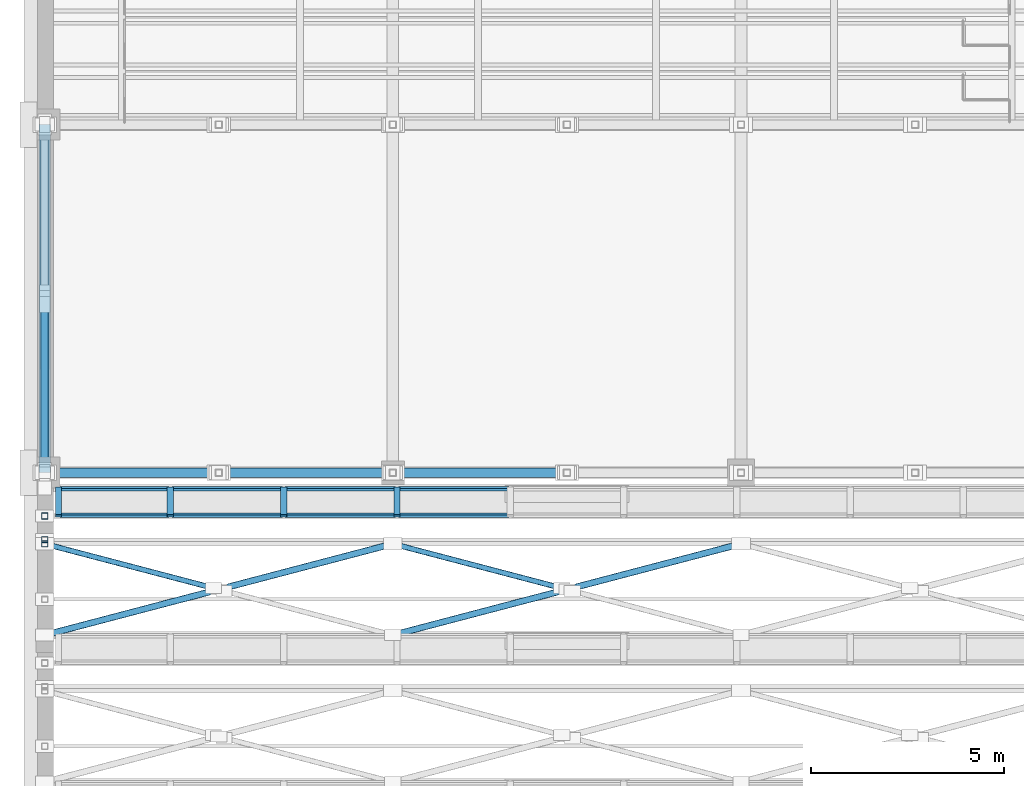
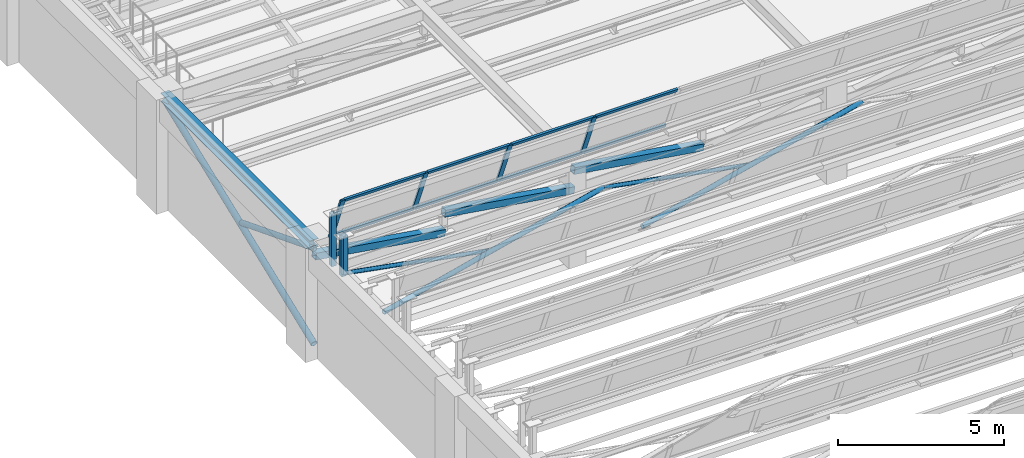
# One storey, part 23 of 108: 24 members, 1 beam, 1 element without a shape of its own.
"""IFC4 building model written with IfcOpenShell, lengths in metres."""

from ifc_helpers import new_model, si_unit, direction, frame, origin, origin_2d, place, context, subcontext, project, spatial, hollow_rectangle, hollow_circle, i_section, extrude, material, material_profile, profile_set, type_object, element, aggregate, save


model = new_model("IFC4")

# Units and contexts
model_context = context("Model", 3, precision=1e-05, world=origin(), true_north=direction((0.0, 1.0)))
body_context = subcontext(model_context, "Body", "Model", "MODEL_VIEW")
ifc_project = project(units=[si_unit("LENGTHUNIT", "METRE"), si_unit("AREAUNIT", "SQUARE_METRE"), si_unit("VOLUMEUNIT", "CUBIC_METRE"), si_unit("PLANEANGLEUNIT", "RADIAN"), si_unit("MASSUNIT", "GRAM", prefix="KILO")], contexts=[model_context])

# Site, building, storey
site_placement = place(None, origin())
site = spatial("IfcSite", under=ifc_project, at=site_placement, CompositionType="ELEMENT")
building_placement = place(site_placement, origin())
building = spatial("IfcBuilding", under=site, at=building_placement, Name="Lykobir Media Centre", CompositionType="ELEMENT")
storey_placement = place(building_placement, frame((0.0, 0.0, 15.0)))
storey = spatial("IfcBuildingStorey", under=building, at=storey_placement, Name="L03", CompositionType="ELEMENT", Elevation=15.0)

# Members
ifc_material_1 = material(Name="Steel S355", Category="steel")
ifc_material_profile_1 = material_profile(ifc_material_1, hollow_circle(Radius=0.06982421875, WallThickness=0.008056640625, at=origin_2d()), Name="CHS 139.7x8.0")
ifc_profile_set_1 = profile_set([ifc_material_profile_1], Name="Steel S355")
member_type_1 = type_object("IfcMemberType", Name="BR-CHS140", PredefinedType="BRACE", material=ifc_profile_set_1)
for number, where, z_axis, x_axis, name in (
    (1, (4.364501953125, 24.01611328125, 3.840087890625), (-0.967253715929, 0.253811443834, 0.0), (-0.253811443834, -0.967253715929, 0.0), "Diagonal brace MEM2-L03-0044-0240-0188-0000-0252-0271"),
    (2, (13.364501953125, 24.01611328125, 3.840087890625), (-0.967253715929, 0.253811443834, 0.0), (-0.253811443834, -0.967253715929, 0.0), "Diagonal brace MEM2-L03-0134-0240-0188-0090-0252-0274"),
):
    element("IfcMember", number, at=place(storey_placement, frame(where, z_axis=z_axis, x_axis=x_axis)), inside=storey, type_object=member_type_1, Name=name, PredefinedType="BRACE", context=body_context, shape_type="SweptSolid", body=[
        extrude(hollow_circle(Radius=0.06982421875, WallThickness=0.008056640625, at=origin_2d()), origin(), (0.0, 0.0, 1.0), 4.51220703125),
    ])
ifc_material_profile_2 = material_profile(ifc_material_1, hollow_circle(Radius=0.084228515625, WallThickness=0.010009765625, at=origin_2d()), Name="CHS 168.3x10.0")
ifc_profile_set_2 = profile_set([ifc_material_profile_2], Name="Steel S355")
member_type_2 = type_object("IfcMemberType", Name="BR-CHS168", PredefinedType="BRACE", material=ifc_profile_set_2)
for number, where, z_axis, x_axis, name in (
    (3, (0.0, 22.800048828125, 3.840087890625), (0.967261887678, 0.253780299957, 0.0), (-0.253780299957, 0.967261887678, 0.0), "Diagonal brace MEM2-L03-0000-0228-0188-0090-0252-0269"),
    (4, (9.0, 22.800048828125, 3.840087890625), (0.967261887678, 0.253780299957, 0.0), (-0.253780299957, 0.967261887678, 0.0), "Diagonal brace MEM2-L03-0090-0228-0188-0180-0252-0272"),
):
    element("IfcMember", number, at=place(storey_placement, frame(where, z_axis=z_axis, x_axis=x_axis)), inside=storey, type_object=member_type_2, Name=name, PredefinedType="BRACE", context=body_context, shape_type="SweptSolid", body=[
        extrude(hollow_circle(Radius=0.084228515625, WallThickness=0.010009765625, at=origin_2d()), origin(), (0.0, 0.0, 1.0), 9.3046875),
    ])
ifc_material_profile_3 = material_profile(ifc_material_1, hollow_circle(Radius=0.096923828125, WallThickness=0.010009765625, at=origin_2d()), Name="CHS 193.7x10.0")
ifc_profile_set_3 = profile_set([ifc_material_profile_3], Name="Steel S355")
member_type_3 = type_object("IfcMemberType", Name="BR-CHS194-E", PredefinedType="BRACE", material=ifc_profile_set_3)
member_1_placement = place(storey_placement, frame((0.0, 31.35107421875, 1.938232421875), z_axis=(0.0, -0.931310611003, 0.364225954365), x_axis=(1.0, 0.0, 0.0)))
element("IfcMember", 5, at=member_1_placement, inside=storey, type_object=member_type_3, Name="Diagonal brace MEM2-L03-0000-0314-0169-0000-0270-0538", PredefinedType="BRACE", context=body_context, shape_type="SweptSolid", body=[
    extrude(hollow_circle(Radius=0.096923828125, WallThickness=0.010009765625, at=origin_2d()), origin(), (0.0, 0.0, 1.0), 4.671875),
])
ifc_material_profile_4 = material_profile(ifc_material_1, hollow_circle(Radius=0.109619140625, WallThickness=0.012451171875, at=origin_2d()), Name="CHS 219.1x12.5")
ifc_profile_set_4 = profile_set([ifc_material_profile_4], Name="Steel S355")
member_type_4 = type_object("IfcMemberType", Name="BR-CHS219-E", PredefinedType="BRACE", material=ifc_profile_set_4)
member_2_placement = place(storey_placement, frame((0.0, 27.0, 0.1201171875), z_axis=(0.0, 0.931311719818, 0.364223119158), x_axis=(-1.0, 0.0, 0.0)))
element("IfcMember", 6, at=member_2_placement, inside=storey, type_object=member_type_4, Name="Diagonal brace MEM2-L03-0000-0270-0151-0000-0360-0536", PredefinedType="BRACE", context=body_context, shape_type="SweptSolid", body=[
    extrude(hollow_circle(Radius=0.109619140625, WallThickness=0.012451171875, at=origin_2d()), origin(), (0.0, 0.0, 1.0), 9.663818359375),
])
ifc_material_profile_5 = material_profile(ifc_material_1, hollow_rectangle(XDim=0.159912109375, YDim=0.159912109375, WallThickness=0.008056640625, at=origin_2d()), Name="SHS 160x160x8")
ifc_profile_set_5 = profile_set([ifc_material_profile_5], Name="Steel S355")
member_type_5 = type_object("IfcMemberType", Name="BR-SHS160-E", PredefinedType="BRACE", material=ifc_profile_set_5)
member_3_placement = place(storey_placement, frame((0.0, 25.88134765625, 3.699951171875), z_axis=(0.0, 0.0, 1.0), x_axis=(1.0, 0.0, 0.0)))
element("IfcMember", 7, at=member_3_placement, inside=storey, type_object=member_type_5, Name="Diagonal brace MEM2-L03-0000-0259-0187-0000-0259-0262", PredefinedType="BRACE", context=body_context, shape_type="SweptSolid", body=[
    extrude(hollow_rectangle(XDim=0.159912109375, YDim=0.159912109375, WallThickness=0.008056640625, at=origin_2d()), origin(), (0.0, 0.0, 1.0), 1.928955078125),
])
member_4_placement = place(storey_placement, frame((0.0, 25.161376953125, 3.840087890625), z_axis=(0.0, 0.0, 1.0), x_axis=(1.0, 0.0, 0.0)))
element("IfcMember", 8, at=member_4_placement, inside=storey, type_object=member_type_5, Name="Diagonal brace MEM2-L03-0000-0252-0188-0000-0252-0264", PredefinedType="BRACE", context=body_context, shape_type="SweptSolid", body=[
    extrude(hollow_rectangle(XDim=0.159912109375, YDim=0.159912109375, WallThickness=0.008056640625, at=origin_2d()), origin(), (0.0, 0.0, 1.0), 1.4033203125),
])
member_5_placement = place(storey_placement, frame((0.0, 25.267822265625, 3.699951171875), z_axis=(0.0, 0.0, 1.0), x_axis=(1.0, 0.0, 0.0)))
element("IfcMember", 9, at=member_5_placement, inside=storey, type_object=member_type_5, Name="Diagonal brace MEM2-L03-0000-0253-0187-0000-0253-0280", PredefinedType="BRACE", context=body_context, shape_type="SweptSolid", body=[
    extrude(hollow_rectangle(XDim=0.159912109375, YDim=0.159912109375, WallThickness=0.008056640625, at=origin_2d()), origin(), (0.0, 0.0, 1.0), 1.472412109375),
])
ifc_material_profile_6 = material_profile(ifc_material_1, hollow_rectangle(XDim=0.25, YDim=0.25, WallThickness=0.012451171875, at=origin_2d()), Name="SHS 250x250x12.5")
ifc_profile_set_6 = profile_set([ifc_material_profile_6], Name="Steel S355")
member_type_6 = type_object("IfcMemberType", Name="BR-SHS250", PredefinedType="BRACE", material=ifc_profile_set_6)
for number, where, z_axis, x_axis, name in (
    (10, (0.0, 27.0, 3.39990234375), (0.988118097326, 0.0, -0.153696537817), (0.0, 1.0, 0.0), "Diagonal brace MEM2-L03-0000-0270-0184-0045-0270-0098"),
    (11, (4.5, 27.0, 3.39990234375), (0.988118097326, 0.0, -0.153696537817), (0.0, 1.0, 0.0), "Diagonal brace MEM2-L03-0045-0270-0184-0090-0270-0099"),
    (12, (9.0, 27.0, 3.39990234375), (0.988118097326, 0.0, -0.153696537817), (0.0, 1.0, 0.0), "Diagonal brace MEM2-L03-0090-0270-0184-0135-0270-0101"),
):
    element("IfcMember", number, at=place(storey_placement, frame(where, z_axis=z_axis, x_axis=x_axis)), inside=storey, type_object=member_type_6, Name=name, PredefinedType="BRACE", context=body_context, shape_type="SweptSolid", body=[
        extrude(hollow_rectangle(XDim=0.25, YDim=0.25, WallThickness=0.012451171875, at=origin_2d()), origin(), (0.0, 0.0, 1.0), 4.55419921875),
    ])

# Curtain wall, members
ifc_material_2 = material(Name="Anodized Aluminium AW-6060", Category="aluminium")
curtain_wall_type = type_object("IfcCurtainWallType", Name="CW-NL-V1", PredefinedType="NOTDEFINED", material=ifc_material_2)
curtain_wall_placement = place(storey_placement, origin())
curtain_wall = element("IfcCurtainWall", 13, at=curtain_wall_placement, inside=storey, type_object=curtain_wall_type, Name="Curtain wall CW-NL-V1-07", PredefinedType="NOTDEFINED")
ifc_material_profile_7 = material_profile(ifc_material_2, hollow_rectangle(XDim=0.070068359375, YDim=0.1650390625, WallThickness=0.00390625, at=origin_2d()), Name="ALU MULLION 70x165")
ifc_profile_set_7 = profile_set([ifc_material_profile_7], Name="Anodized Aluminium AW-6060")
member_type_7 = type_object("IfcMemberType", Name="CWM-165", PredefinedType="MULLION", material=ifc_profile_set_7)
member_6_placement = place(storey_placement, frame((0.35498046875, 26.60009765625, 4.199951171875), z_axis=(0.0, -0.374700754386, 0.927145805504), x_axis=(0.0, 0.927145805504, 0.374700754386)))
member_6 = element("IfcMember", 14, at=member_6_placement, type_object=member_type_7, Name="CW-NL-V1-07 mullion 1", PredefinedType="MULLION", context=body_context, shape_type="SweptSolid", body=[
    extrude(hollow_rectangle(XDim=0.070068359375, YDim=0.1650390625, WallThickness=0.00390625, at=origin_2d()), origin(), (0.0, 0.0, 1.0), 1.9189453125),
])
member_7_placement = place(storey_placement, frame((3.248779296875, 26.60009765625, 4.199951171875), z_axis=(0.0, -0.374700754386, 0.927145805504), x_axis=(0.0, 0.927145805504, 0.374700754386)))
member_7 = element("IfcMember", 15, at=member_7_placement, type_object=member_type_7, Name="CW-NL-V1-07 mullion 2", PredefinedType="MULLION", context=body_context, shape_type="SweptSolid", body=[
    extrude(hollow_rectangle(XDim=0.070068359375, YDim=0.1650390625, WallThickness=0.00390625, at=origin_2d()), origin(), (0.0, 0.0, 1.0), 1.9189453125),
])
member_8_placement = place(storey_placement, frame((6.177734375, 26.60009765625, 4.199951171875), z_axis=(0.0, -0.374700754386, 0.927145805504), x_axis=(0.0, 0.927145805504, 0.374700754386)))
member_8 = element("IfcMember", 16, at=member_8_placement, type_object=member_type_7, Name="CW-NL-V1-07 mullion 3", PredefinedType="MULLION", context=body_context, shape_type="SweptSolid", body=[
    extrude(hollow_rectangle(XDim=0.070068359375, YDim=0.1650390625, WallThickness=0.00390625, at=origin_2d()), origin(), (0.0, 0.0, 1.0), 1.9189453125),
])
member_9_placement = place(storey_placement, frame((9.106689453125, 26.60009765625, 4.199951171875), z_axis=(0.0, -0.374700754386, 0.927145805504), x_axis=(0.0, 0.927145805504, 0.374700754386)))
member_9 = element("IfcMember", 17, at=member_9_placement, type_object=member_type_7, Name="CW-NL-V1-07 mullion 4", PredefinedType="MULLION", context=body_context, shape_type="SweptSolid", body=[
    extrude(hollow_rectangle(XDim=0.070068359375, YDim=0.1650390625, WallThickness=0.00390625, at=origin_2d()), origin(), (0.0, 0.0, 1.0), 1.9189453125),
])
ifc_material_profile_8 = material_profile(ifc_material_2, hollow_rectangle(XDim=0.070068359375, YDim=0.135009765625, WallThickness=0.00341796875, at=origin_2d()), Name="ALU TRANSOM 70x135")
ifc_profile_set_8 = profile_set([ifc_material_profile_8], Name="Anodized Aluminium AW-6060")
member_type_8 = type_object("IfcMemberType", Name="CWT-135", PredefinedType="USERDEFINED", material=ifc_profile_set_8)
member_10_placement = place(storey_placement, frame((0.389892578125, 26.5869140625, 4.232421875), z_axis=(1.0, 0.0, 0.0), x_axis=(0.0, 0.927183854567, 0.374606593416)))
member_10 = element("IfcMember", 18, at=member_10_placement, type_object=member_type_8, Name="CW-NL-V1-07 transom 1.1", ObjectType="TRANSOM", PredefinedType="USERDEFINED", context=body_context, shape_type="SweptSolid", body=[
    extrude(hollow_rectangle(XDim=0.070068359375, YDim=0.135009765625, WallThickness=0.00341796875, at=origin_2d()), origin(), (0.0, 0.0, 1.0), 2.823974609375),
])
member_11_placement = place(storey_placement, frame((0.389892578125, 25.894287109375, 5.946533203125), z_axis=(1.0, 0.0, 0.0), x_axis=(0.0, 0.927183854567, 0.374606593416)))
member_11 = element("IfcMember", 19, at=member_11_placement, type_object=member_type_8, Name="CW-NL-V1-07 transom 1.2", ObjectType="TRANSOM", PredefinedType="USERDEFINED", context=body_context, shape_type="SweptSolid", body=[
    extrude(hollow_rectangle(XDim=0.070068359375, YDim=0.135009765625, WallThickness=0.00341796875, at=origin_2d()), origin(), (0.0, 0.0, 1.0), 2.823974609375),
])
member_12_placement = place(storey_placement, frame((3.283935546875, 26.5869140625, 4.232421875), z_axis=(1.0, 0.0, 0.0), x_axis=(0.0, 0.927183854567, 0.374606593416)))
member_12 = element("IfcMember", 20, at=member_12_placement, type_object=member_type_8, Name="CW-NL-V1-07 transom 2.1", ObjectType="TRANSOM", PredefinedType="USERDEFINED", context=body_context, shape_type="SweptSolid", body=[
    extrude(hollow_rectangle(XDim=0.070068359375, YDim=0.135009765625, WallThickness=0.00341796875, at=origin_2d()), origin(), (0.0, 0.0, 1.0), 2.85888671875),
])
member_13_placement = place(storey_placement, frame((3.283935546875, 25.894287109375, 5.946533203125), z_axis=(1.0, 0.0, 0.0), x_axis=(0.0, 0.927183854567, 0.374606593416)))
member_13 = element("IfcMember", 21, at=member_13_placement, type_object=member_type_8, Name="CW-NL-V1-07 transom 2.2", ObjectType="TRANSOM", PredefinedType="USERDEFINED", context=body_context, shape_type="SweptSolid", body=[
    extrude(hollow_rectangle(XDim=0.070068359375, YDim=0.135009765625, WallThickness=0.00341796875, at=origin_2d()), origin(), (0.0, 0.0, 1.0), 2.85888671875),
])
member_14_placement = place(storey_placement, frame((6.212890625, 26.5869140625, 4.232421875), z_axis=(1.0, 0.0, 0.0), x_axis=(0.0, 0.927183854567, 0.374606593416)))
member_14 = element("IfcMember", 22, at=member_14_placement, type_object=member_type_8, Name="CW-NL-V1-07 transom 3.1", ObjectType="TRANSOM", PredefinedType="USERDEFINED", context=body_context, shape_type="SweptSolid", body=[
    extrude(hollow_rectangle(XDim=0.070068359375, YDim=0.135009765625, WallThickness=0.00341796875, at=origin_2d()), origin(), (0.0, 0.0, 1.0), 2.85888671875),
])
member_15_placement = place(storey_placement, frame((6.212890625, 25.894287109375, 5.946533203125), z_axis=(1.0, 0.0, 0.0), x_axis=(0.0, 0.927183854567, 0.374606593416)))
member_15 = element("IfcMember", 23, at=member_15_placement, type_object=member_type_8, Name="CW-NL-V1-07 transom 3.2", ObjectType="TRANSOM", PredefinedType="USERDEFINED", context=body_context, shape_type="SweptSolid", body=[
    extrude(hollow_rectangle(XDim=0.070068359375, YDim=0.135009765625, WallThickness=0.00341796875, at=origin_2d()), origin(), (0.0, 0.0, 1.0), 2.85888671875),
])
member_16_placement = place(storey_placement, frame((9.1416015625, 26.5869140625, 4.232421875), z_axis=(1.0, 0.0, 0.0), x_axis=(0.0, 0.927183854567, 0.374606593416)))
member_16 = element("IfcMember", 24, at=member_16_placement, type_object=member_type_8, Name="CW-NL-V1-07 transom 4.1", ObjectType="TRANSOM", PredefinedType="USERDEFINED", context=body_context, shape_type="SweptSolid", body=[
    extrude(hollow_rectangle(XDim=0.070068359375, YDim=0.135009765625, WallThickness=0.00341796875, at=origin_2d()), origin(), (0.0, 0.0, 1.0), 2.85888671875),
])
member_17_placement = place(storey_placement, frame((9.1416015625, 25.894287109375, 5.946533203125), z_axis=(1.0, 0.0, 0.0), x_axis=(0.0, 0.927183854567, 0.374606593416)))
member_17 = element("IfcMember", 25, at=member_17_placement, type_object=member_type_8, Name="CW-NL-V1-07 transom 4.2", ObjectType="TRANSOM", PredefinedType="USERDEFINED", context=body_context, shape_type="SweptSolid", body=[
    extrude(hollow_rectangle(XDim=0.070068359375, YDim=0.135009765625, WallThickness=0.00341796875, at=origin_2d()), origin(), (0.0, 0.0, 1.0), 2.85888671875),
])
aggregate(curtain_wall, [member_6, member_7, member_8, member_9, member_10, member_11, member_12, member_13, member_14, member_15, member_16, member_17])

# Beam
ifc_material_profile_9 = material_profile(ifc_material_1, i_section(OverallWidth=0.300048828125, OverallDepth=0.31005859375, WebThickness=0.009033203125, FlangeThickness=0.015380859375, at=origin_2d()), Name="HEA 320")
ifc_profile_set_9 = profile_set([ifc_material_profile_9], Name="Steel S355")
beam_type = type_object("IfcBeamType", Name="SP-HEA320-E", PredefinedType="SPANDREL", material=ifc_profile_set_9)
beam_placement = place(storey_placement, frame((0.0, 27.0, 3.794921875), z_axis=(0.0, 1.0, 0.0), x_axis=(-1.0, 0.0, 0.0)))
element("IfcBeam", 26, at=beam_placement, inside=storey, type_object=beam_type, Name="Beam BM-L03-0000-0270-0000-0360-1880", PredefinedType="SPANDREL", context=body_context, shape_type="SweptSolid", body=[
    extrude(i_section(OverallWidth=0.300048828125, OverallDepth=0.31005859375, WebThickness=0.009033203125, FlangeThickness=0.015380859375, at=origin_2d()), origin(), (0.0, 0.0, 1.0), 9.0),
])

save(model, "model.ifc")
